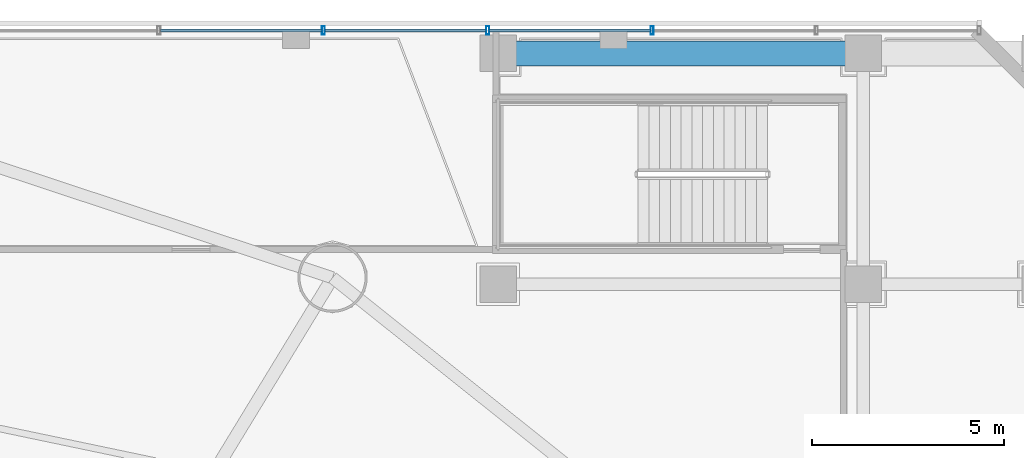
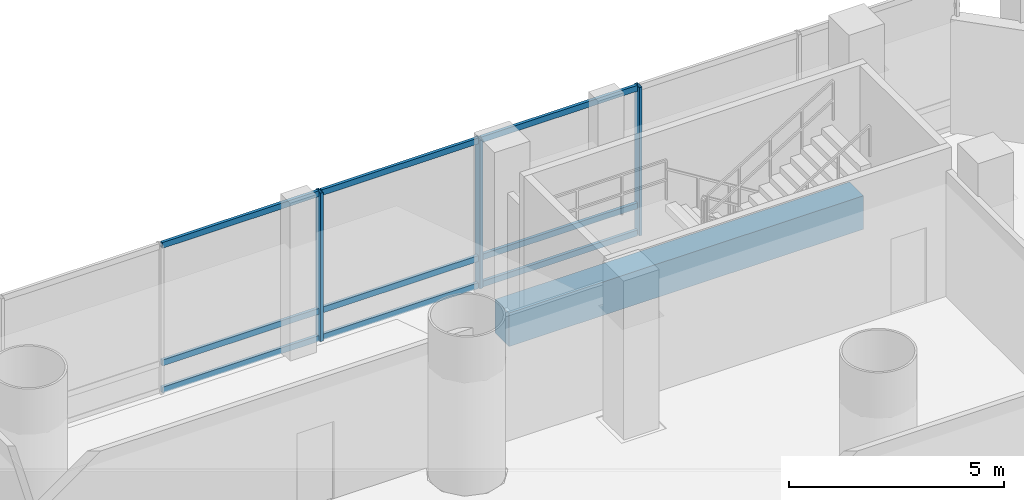
# One storey, part 15 of 36: 12 members, 1 beam, 1 element without a shape of its own.
"""IFC4 building model written with IfcOpenShell, lengths in metres."""

from ifc_helpers import new_model, si_unit, direction, frame, origin, origin_2d, place, context, subcontext, project, spatial, rectangle, hollow_rectangle, extrude, source, transform, mapped, material, material_profile, profile_set, type_object, element, aggregate, save


model = new_model("IFC4")

# Units and contexts
model_context = context("Model", 3, precision=1e-05, world=origin(), true_north=direction((-0.2419218956, 0.970295726276)))
body_context = subcontext(model_context, "Body", "Model", "MODEL_VIEW")
ifc_project = project(units=[si_unit("LENGTHUNIT", "METRE"), si_unit("AREAUNIT", "SQUARE_METRE"), si_unit("VOLUMEUNIT", "CUBIC_METRE"), si_unit("PLANEANGLEUNIT", "RADIAN"), si_unit("MASSUNIT", "GRAM", prefix="KILO")], contexts=[model_context])

# Site, building, storey
site_placement = place(None, origin())
site = spatial("IfcSite", under=ifc_project, at=site_placement, CompositionType="ELEMENT")
building_placement = place(site_placement, origin())
building = spatial("IfcBuilding", under=site, at=building_placement, Name="Cobrevalo Terracotta Tower", CompositionType="ELEMENT")
storey_placement = place(building_placement, frame((0.0, 0.0, 5.39990234375)))
storey = spatial("IfcBuildingStorey", under=building, at=storey_placement, Name="L01", CompositionType="ELEMENT", Elevation=5.39990234375)

# Beam
ifc_material_1 = material(Name="Concrete C50", Category="concrete")
ifc_material_profile_1 = material_profile(ifc_material_1, rectangle(XDim=0.64990234375, YDim=0.949951171875, at=origin_2d()), Name="RC BM 650x950")
ifc_profile_set_1 = profile_set([ifc_material_profile_1], Name="Concrete C50")
beam_type = type_object("IfcBeamType", Name="Structural Spandrel RC BM 650x950 (Concrete C50)", PredefinedType="SPANDREL", material=ifc_profile_set_1)
beam_placement = place(storey_placement, frame((57.5, 50.800048828125, -0.77490234375), z_axis=(1.0, 0.0, 0.0), x_axis=(0.0, 1.0, 0.0)))
element("IfcBeam", 1, at=beam_placement, inside=storey, type_object=beam_type, Name="L01 podium grid beam G7-GG to G8-GG", PredefinedType="SPANDREL", context=body_context, shape_type="SweptSolid", body=[
    extrude(rectangle(XDim=0.64990234375, YDim=0.949951171875, at=origin_2d()), origin(), (0.0, 0.0, 1.0), 9.5),
])

# Curtain wall, members
ifc_material_2 = material(Name="Anodized aluminium", Category="aluminium")
curtain_wall_type = type_object("IfcCurtainWallType", Name="Double-height storefront stick curtain wall CW-S1", PredefinedType="NOTDEFINED", material=ifc_material_2)
curtain_wall_placement = place(storey_placement, origin())
curtain_wall = element("IfcCurtainWall", 2, at=curtain_wall_placement, inside=storey, type_object=curtain_wall_type, Name="L01 curtain wall CW-POD-L01-N", PredefinedType="NOTDEFINED")
ifc_material_profile_2 = material_profile(ifc_material_2, hollow_rectangle(XDim=0.080078125, YDim=0.219970703125, WallThickness=0.0048828125, at=origin_2d()), Name="CWM 80x220")
ifc_profile_set_2 = profile_set([ifc_material_profile_2], Name="Anodized aluminium")
member_type_1 = type_object("IfcMemberType", Name="Storefront & atrium aluminium mullion 80x220", PredefinedType="MULLION", material=ifc_profile_set_2)
shared_shape_1 = source(origin(), body_context, "Body", "SweptSolid", [
    extrude(hollow_rectangle(XDim=0.080078125, YDim=0.219970703125, WallThickness=0.0048828125, at=origin_2d()), origin(), (0.0, 0.0, 1.0), 4.2001953125),
])
member_1_placement = place(storey_placement, frame((61.50341796875, 51.39990234375, 0.0), z_axis=(0.0, 0.0, 1.0), x_axis=(-1.0, 0.0, 0.0)))
member_1 = element("IfcMember", 3, at=member_1_placement, type_object=member_type_1, Name="CW-POD-L01-N vertical mullion 03", PredefinedType="MULLION", context=body_context, shape_type="MappedRepresentation", body=[
    mapped(shared_shape_1, transform((0.0, 0.0, 0.0), scale=1.0)),
])
member_2_placement = place(storey_placement, frame((57.22998046875, 51.39990234375, 0.0), z_axis=(0.0, 0.0, 1.0), x_axis=(-1.0, 0.0, 0.0)))
member_2 = element("IfcMember", 4, at=member_2_placement, type_object=member_type_1, Name="CW-POD-L01-N vertical mullion 04", PredefinedType="MULLION", context=body_context, shape_type="MappedRepresentation", body=[
    mapped(shared_shape_1, transform((0.0, 0.0, 0.0), scale=1.0)),
])
member_3_placement = place(storey_placement, frame((52.956787109375, 51.39990234375, 0.0), z_axis=(0.0, 0.0, 1.0), x_axis=(-1.0, 0.0, 0.0)))
member_3 = element("IfcMember", 5, at=member_3_placement, type_object=member_type_1, Name="CW-POD-L01-N vertical mullion 05", PredefinedType="MULLION", context=body_context, shape_type="MappedRepresentation", body=[
    mapped(shared_shape_1, transform((0.0, 0.0, 0.0), scale=1.0)),
])
ifc_material_profile_3 = material_profile(ifc_material_2, hollow_rectangle(XDim=0.080078125, YDim=0.1650390625, WallThickness=0.00439453125, at=origin_2d()), Name="CWT 80x165")
ifc_profile_set_3 = profile_set([ifc_material_profile_3], Name="Anodized aluminium")
member_type_2 = type_object("IfcMemberType", Name="Storefront & atrium aluminium transom 80x165", PredefinedType="USERDEFINED", material=ifc_profile_set_3)
shared_shape_2 = source(origin(), body_context, "Body", "SweptSolid", [
    extrude(hollow_rectangle(XDim=0.080078125, YDim=0.1650390625, WallThickness=0.00439453125, at=origin_2d()), origin(), (0.0, 0.0, 1.0), 4.193359375),
])
member_4_placement = place(storey_placement, frame((61.46337890625, 51.39990234375, 0.050048828125), z_axis=(-1.0, 0.0, 0.0), x_axis=(0.0, -1.0, 0.0)))
member_4 = element("IfcMember", 6, at=member_4_placement, type_object=member_type_2, Name="CW-POD-L01-N transom B03-T1", ObjectType="TRANSOM", PredefinedType="USERDEFINED", context=body_context, shape_type="MappedRepresentation", body=[
    mapped(shared_shape_2, transform((0.0, 0.0, 0.0), scale=1.0)),
])
member_5_placement = place(storey_placement, frame((61.46337890625, 51.39990234375, 0.820068359375), z_axis=(-1.0, 0.0, 0.0), x_axis=(0.0, -1.0, 0.0)))
member_5 = element("IfcMember", 7, at=member_5_placement, type_object=member_type_2, Name="CW-POD-L01-N transom B03-T2", ObjectType="TRANSOM", PredefinedType="USERDEFINED", context=body_context, shape_type="MappedRepresentation", body=[
    mapped(shared_shape_2, transform((0.0, 0.0, 0.0), scale=1.0)),
])
member_6_placement = place(storey_placement, frame((61.46337890625, 51.39990234375, 4.150146484375), z_axis=(-1.0, 0.0, 0.0), x_axis=(0.0, -1.0, 0.0)))
member_6 = element("IfcMember", 8, at=member_6_placement, type_object=member_type_2, Name="CW-POD-L01-N transom B03-T3", ObjectType="TRANSOM", PredefinedType="USERDEFINED", context=body_context, shape_type="MappedRepresentation", body=[
    mapped(shared_shape_2, transform((0.0, 0.0, 0.0), scale=1.0)),
])
member_7_placement = place(storey_placement, frame((57.18994140625, 51.39990234375, 0.050048828125), z_axis=(-1.0, 0.0, 0.0), x_axis=(0.0, -1.0, 0.0)))
member_7 = element("IfcMember", 9, at=member_7_placement, type_object=member_type_2, Name="CW-POD-L01-N transom B04-T1", ObjectType="TRANSOM", PredefinedType="USERDEFINED", context=body_context, shape_type="MappedRepresentation", body=[
    mapped(shared_shape_2, transform((0.0, 0.0, 0.0), scale=1.0)),
])
member_8_placement = place(storey_placement, frame((57.18994140625, 51.39990234375, 0.820068359375), z_axis=(-1.0, 0.0, 0.0), x_axis=(0.0, -1.0, 0.0)))
member_8 = element("IfcMember", 10, at=member_8_placement, type_object=member_type_2, Name="CW-POD-L01-N transom B04-T2", ObjectType="TRANSOM", PredefinedType="USERDEFINED", context=body_context, shape_type="MappedRepresentation", body=[
    mapped(shared_shape_2, transform((0.0, 0.0, 0.0), scale=1.0)),
])
member_9_placement = place(storey_placement, frame((57.18994140625, 51.39990234375, 4.150146484375), z_axis=(-1.0, 0.0, 0.0), x_axis=(0.0, -1.0, 0.0)))
member_9 = element("IfcMember", 11, at=member_9_placement, type_object=member_type_2, Name="CW-POD-L01-N transom B04-T3", ObjectType="TRANSOM", PredefinedType="USERDEFINED", context=body_context, shape_type="MappedRepresentation", body=[
    mapped(shared_shape_2, transform((0.0, 0.0, 0.0), scale=1.0)),
])
member_10_placement = place(storey_placement, frame((52.916748046875, 51.39990234375, 0.050048828125), z_axis=(-1.0, 0.0, 0.0), x_axis=(0.0, -1.0, 0.0)))
member_10 = element("IfcMember", 12, at=member_10_placement, type_object=member_type_2, Name="CW-POD-L01-N transom B05-T1", ObjectType="TRANSOM", PredefinedType="USERDEFINED", context=body_context, shape_type="MappedRepresentation", body=[
    mapped(shared_shape_2, transform((0.0, 0.0, 0.0), scale=1.0)),
])
member_11_placement = place(storey_placement, frame((52.916748046875, 51.39990234375, 0.820068359375), z_axis=(-1.0, 0.0, 0.0), x_axis=(0.0, -1.0, 0.0)))
member_11 = element("IfcMember", 13, at=member_11_placement, type_object=member_type_2, Name="CW-POD-L01-N transom B05-T2", ObjectType="TRANSOM", PredefinedType="USERDEFINED", context=body_context, shape_type="MappedRepresentation", body=[
    mapped(shared_shape_2, transform((0.0, 0.0, 0.0), scale=1.0)),
])
member_12_placement = place(storey_placement, frame((52.916748046875, 51.39990234375, 4.150146484375), z_axis=(-1.0, 0.0, 0.0), x_axis=(0.0, -1.0, 0.0)))
member_12 = element("IfcMember", 14, at=member_12_placement, type_object=member_type_2, Name="CW-POD-L01-N transom B05-T3", ObjectType="TRANSOM", PredefinedType="USERDEFINED", context=body_context, shape_type="MappedRepresentation", body=[
    mapped(shared_shape_2, transform((0.0, 0.0, 0.0), scale=1.0)),
])
aggregate(curtain_wall, [member_1, member_2, member_3, member_4, member_5, member_6, member_7, member_8, member_9, member_10, member_11, member_12])

save(model, "model.ifc")
